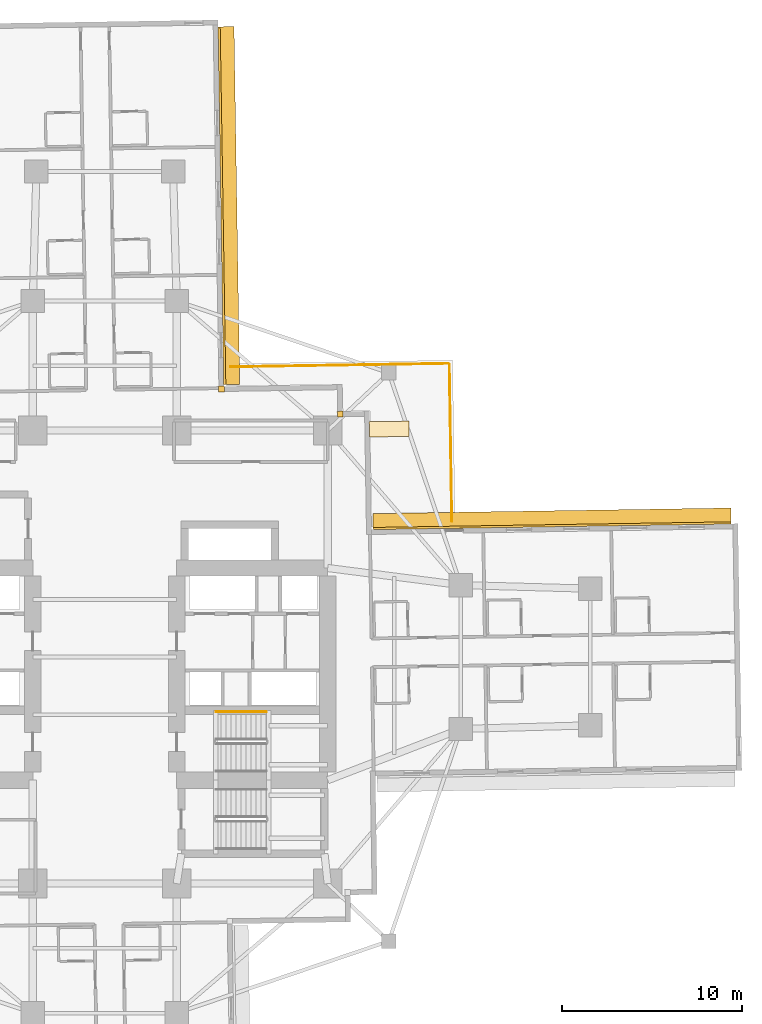
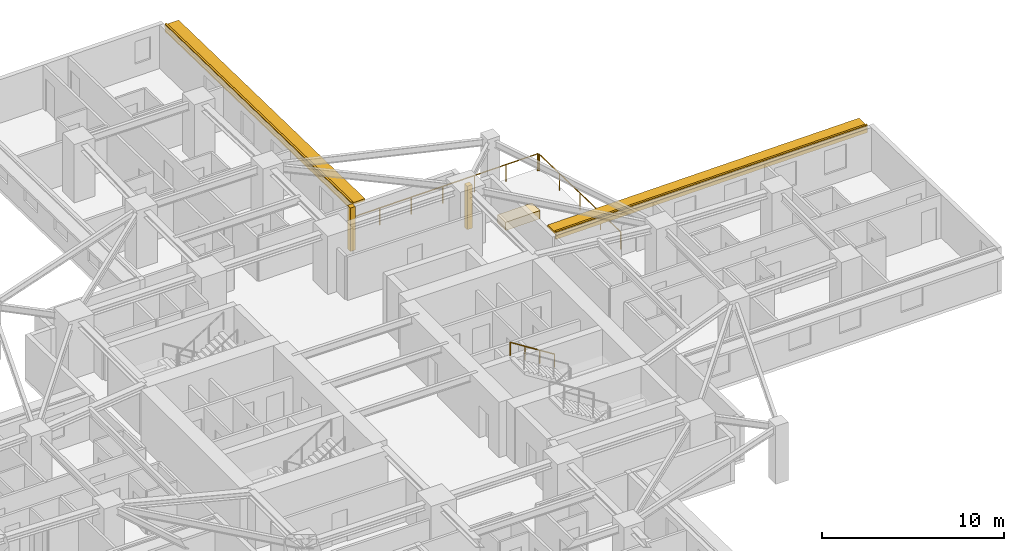
# One storey, part 14 of 14: 5 coverings, 3 railings, 2 shading devices.
"""IFC4 building model written with IfcOpenShell, lengths in metres."""

from ifc_helpers import new_model, si_unit, direction, frame, origin, origin_2d, place, context, subcontext, project, spatial, rectangle, circle, extrude, material, layer, layer_set, type_object, element, save


model = new_model("IFC4")

# Units and contexts
model_context = context("Model", 3, precision=1e-05, world=origin(), true_north=direction((0.0, 1.0)))
body_context = subcontext(model_context, "Body", "Model", "MODEL_VIEW")
ifc_project = project(units=[si_unit("LENGTHUNIT", "METRE"), si_unit("AREAUNIT", "SQUARE_METRE"), si_unit("VOLUMEUNIT", "CUBIC_METRE"), si_unit("PLANEANGLEUNIT", "RADIAN"), si_unit("MASSUNIT", "GRAM", prefix="KILO")], contexts=[model_context])

# Site, building, storey
site_placement = place(None, origin())
site = spatial("IfcSite", under=ifc_project, at=site_placement, CompositionType="ELEMENT")
building_placement = place(site_placement, origin())
building = spatial("IfcBuilding", under=site, at=building_placement, Name="Qingluan Cross Belvedere", CompositionType="ELEMENT")
storey_placement = place(building_placement, frame((0.0, 0.0, 27.60009765625)))
storey = spatial("IfcBuildingStorey", under=building, at=storey_placement, Name="L07", CompositionType="ELEMENT", Elevation=27.60009765625)

# Coverings
ifc_material_1 = material(Name="Precast concrete C45", Category="concrete")
ifc_layer_1 = layer(ifc_material_1, 0.1201171875, Name="ConcreteSpandrelCladding_120")
ifc_layer_set_1 = layer_set([ifc_layer_1], Name="Precast concrete C45")
covering_type_1 = type_object("IfcCoveringType", Name="ConcreteSpandrelCladding_120", PredefinedType="CLADDING", material=ifc_layer_set_1)
for number, where, z_axis, x_axis, name in (
    (1, (24.87841796875, 7.3017578125, 2.449951171875), (0.0, 0.0, 1.0), (-0.999876567432, -0.015711457647, 0.0), "Spandrel cladding L07-EB"),
    (2, (6.5166015625, 25.095458984375, 2.449951171875), (0.0, 0.0, 1.0), (-0.015706483741, 0.999876645576, 0.0), "Spandrel cladding L07-NA"),
):
    element("IfcCovering", number, at=place(storey_placement, frame(where, z_axis=z_axis, x_axis=x_axis)), inside=storey, type_object=covering_type_1, Name=name, PredefinedType="CLADDING", context=body_context, shape_type="SweptSolid", body=[
        extrude(rectangle(XDim=19.89990234375, YDim=0.1201171875, at=origin_2d()), origin(), (0.0, 0.0, 1.0), 0.52001953125),
    ])
for number, where, z_axis, x_axis, name in (
    (3, (13.089599609375, 13.50732421875, 0.0), (0.0, 0.0, 1.0), (0.999876632482, 0.015707317312, 0.0), "Corner closure L07-NE1"),
    (4, (6.48681640625, 14.90380859375, 0.0), (0.0, 0.0, 1.0), (0.999876632482, 0.015707317312, 0.0), "Corner closure L07-NE2"),
):
    element("IfcCovering", number, at=place(storey_placement, frame(where, z_axis=z_axis, x_axis=x_axis)), inside=storey, type_object=covering_type_1, Name=name, PredefinedType="CLADDING", context=body_context, shape_type="SweptSolid", body=[
        extrude(rectangle(XDim=0.320068359375, YDim=0.320068359375, at=origin_2d()), origin(), (0.0, 0.0, 1.0), 2.909912109375),
    ])

# Shading devices
ifc_material_2 = material(Name="Precast concrete C45", Category="concrete")
ifc_layer_2 = layer(ifc_material_2, 0.159912109375, Name="ConcreteSunshadeBand_900")
ifc_layer_set_2 = layer_set([ifc_layer_2], Name="Precast concrete C45")
shading_device_type = type_object("IfcShadingDeviceType", Name="ConcreteSunshadeBand_900", PredefinedType="USERDEFINED", material=ifc_layer_set_2)
for number, where, z_axis, x_axis, name in (
    (5, (24.872314453125, 7.681640625, 2.72998046875), (0.0, 0.0, 1.0), (-0.999876567432, -0.015711457647, 0.0), "Concrete SUNSHADE L07-EB"),
    (6, (6.896484375, 25.101318359375, 2.72998046875), (0.0, 0.0, 1.0), (-0.015706483741, 0.999876645576, 0.0), "Concrete SUNSHADE L07-NA"),
):
    element("IfcShadingDevice", number, at=place(storey_placement, frame(where, z_axis=z_axis, x_axis=x_axis)), inside=storey, type_object=shading_device_type, Name=name, ObjectType="SUNSHADE", PredefinedType="USERDEFINED", context=body_context, shape_type="SweptSolid", body=[
        extrude(rectangle(XDim=19.89990234375, YDim=0.89990234375, at=origin_2d()), origin(), (0.0, 0.0, 1.0), 0.159912109375),
    ])

# Railings
ifc_material_3 = material(Name="Brushed stainless steel tubular handrail", Category="steel")
railing_type_1 = type_object("IfcRailingType", Name="StairPitchHandrail_900", PredefinedType="HANDRAIL", material=ifc_material_3)
railing_1_placement = place(storey_placement, frame((8.97998046875, -3.050048828125, 2.127197265625)))
element("IfcRailing", 7, at=railing_1_placement, inside=storey, type_object=railing_type_1, Name="L07 ST2 stair handrail 2", PredefinedType="HANDRAIL", context=body_context, shape_type="SweptSolid", body=[
    extrude(circle(Radius=0.02392578125, at=origin_2d()), frame((0.0, 0.0, 0.8759765625), z_axis=(-0.844908973607, 0.0, 0.534910110503), x_axis=(0.0, -1.0, 0.0)), (0.0, 0.0, 1.0), 3.31396484375),
    extrude(circle(Radius=0.02099609375, at=origin_2d()), origin(), (0.0, 0.0, 1.0), 0.851806640625),
    extrude(circle(Radius=0.02099609375, at=origin_2d()), frame((-0.933349609375, 0.0, 0.5908203125)), (0.0, 0.0, 1.0), 0.851806640625),
    extrude(circle(Radius=0.02099609375, at=origin_2d()), frame((-1.86669921875, 0.0, 1.181884765625)), (0.0, 0.0, 1.0), 0.851806640625),
    extrude(circle(Radius=0.02099609375, at=origin_2d()), frame((-2.800048828125, 0.0, 1.772705078125)), (0.0, 0.0, 1.0), 0.851806640625),
])
ifc_material_4 = material(Name="Laminated glass and stainless steel balustrade", Category="steel")
railing_type_2 = type_object("IfcRailingType", Name="TerraceGuardBalustrade_1150", PredefinedType="BALUSTRADE", material=ifc_material_4)
railing_2_placement = place(storey_placement, frame((6.987548828125, 16.1318359375, 0.0)))
element("IfcRailing", 8, at=railing_2_placement, inside=storey, type_object=railing_type_2, Name="Terrace guard L07-1", PredefinedType="BALUSTRADE", context=body_context, shape_type="SweptSolid", body=[
    extrude(circle(Radius=0.02392578125, at=origin_2d()), frame((0.0, 0.0, 1.1259765625), z_axis=(0.999876556639, 0.015712144452, 0.0), x_axis=(-0.015712144452, 0.999876556639, 0.0)), (0.0, 0.0, 1.0), 12.119873046875),
    extrude(circle(Radius=0.02099609375, at=origin_2d()), origin(), (0.0, 0.0, 1.0), 1.101806640625),
    extrude(circle(Radius=0.02099609375, at=origin_2d()), frame((2.019775390625, 0.03173828125, 0.0)), (0.0, 0.0, 1.0), 1.101806640625),
    extrude(circle(Radius=0.02099609375, at=origin_2d()), frame((4.03955078125, 0.0634765625, 0.0)), (0.0, 0.0, 1.0), 1.101806640625),
    extrude(circle(Radius=0.02099609375, at=origin_2d()), frame((6.05908203125, 0.09521484375, 0.0)), (0.0, 0.0, 1.0), 1.101806640625),
    extrude(circle(Radius=0.02099609375, at=origin_2d()), frame((8.078857421875, 0.126953125, 0.0)), (0.0, 0.0, 1.0), 1.101806640625),
    extrude(circle(Radius=0.02099609375, at=origin_2d()), frame((10.0986328125, 0.15869140625, 0.0)), (0.0, 0.0, 1.0), 1.101806640625),
    extrude(circle(Radius=0.02099609375, at=origin_2d()), frame((12.118408203125, 0.1904296875, 0.0)), (0.0, 0.0, 1.0), 1.101806640625),
])
railing_3_placement = place(storey_placement, frame((19.1669921875, 16.26318359375, 0.0)))
element("IfcRailing", 9, at=railing_3_placement, inside=storey, type_object=railing_type_2, Name="Terrace guard L07-2", PredefinedType="BALUSTRADE", context=body_context, shape_type="SweptSolid", body=[
    extrude(circle(Radius=0.02392578125, at=origin_2d()), frame((0.0, 0.0, 1.1259765625), z_axis=(0.015706627752, -0.999876643314, 0.0), x_axis=(0.999876643314, 0.015706627752, 0.0)), (0.0, 0.0, 1.0), 8.719970703125),
    extrude(circle(Radius=0.02099609375, at=origin_2d()), origin(), (0.0, 0.0, 1.0), 1.101806640625),
    extrude(circle(Radius=0.02099609375, at=origin_2d()), frame((0.0341796875, -2.1796875, 0.0)), (0.0, 0.0, 1.0), 1.101806640625),
    extrude(circle(Radius=0.02099609375, at=origin_2d()), frame((0.068359375, -4.359375, 0.0)), (0.0, 0.0, 1.0), 1.101806640625),
    extrude(circle(Radius=0.02099609375, at=origin_2d()), frame((0.102783203125, -6.539306640625, 0.0)), (0.0, 0.0, 1.0), 1.101806640625),
    extrude(circle(Radius=0.02099609375, at=origin_2d()), frame((0.136962890625, -8.718994140625, 0.0)), (0.0, 0.0, 1.0), 1.101806640625),
])

# Covering
ifc_material_5 = material(Name="Precast concrete C40", Category="concrete")
ifc_layer_3 = layer(ifc_material_5, 0.550048828125, Name="TerracePlanterBox")
ifc_layer_set_3 = layer_set([ifc_layer_3], Name="Precast concrete C40")
covering_type_2 = type_object("IfcCoveringType", Name="TerracePlanterBox", PredefinedType="USERDEFINED", material=ifc_layer_set_3)
covering_placement = place(storey_placement, frame((15.81201171875, 12.675048828125, 0.0), z_axis=(0.0, 0.0, 1.0), x_axis=(0.999876632482, 0.015707317312, 0.0)))
element("IfcCovering", 10, at=covering_placement, inside=storey, type_object=covering_type_2, Name="Spiralling winter-garden planter L07", ObjectType="PLANTER", PredefinedType="USERDEFINED", context=body_context, shape_type="SweptSolid", body=[
    extrude(rectangle(XDim=2.199951171875, YDim=0.85009765625, at=origin_2d()), origin(), (0.0, 0.0, 1.0), 0.550048828125),
])

save(model, "model.ifc")
